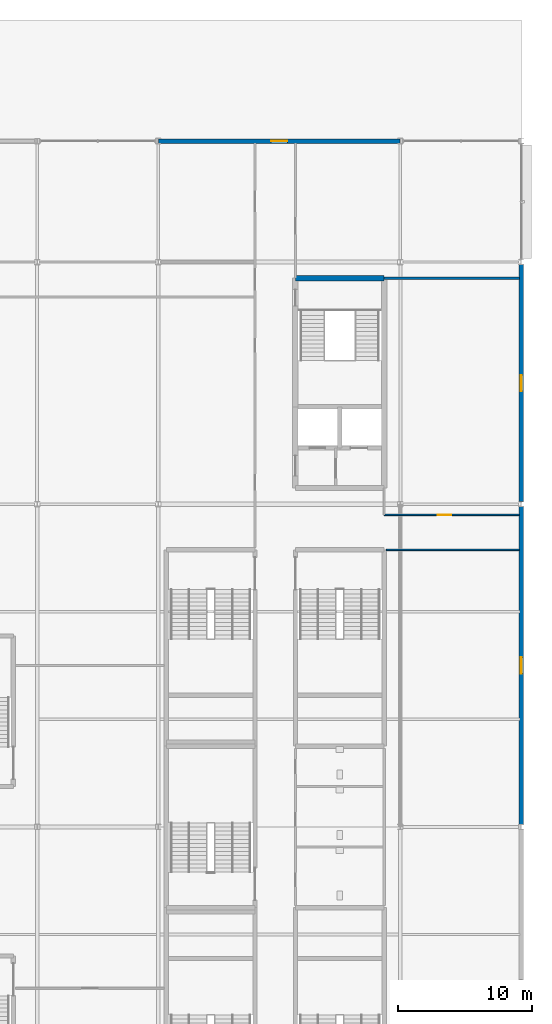
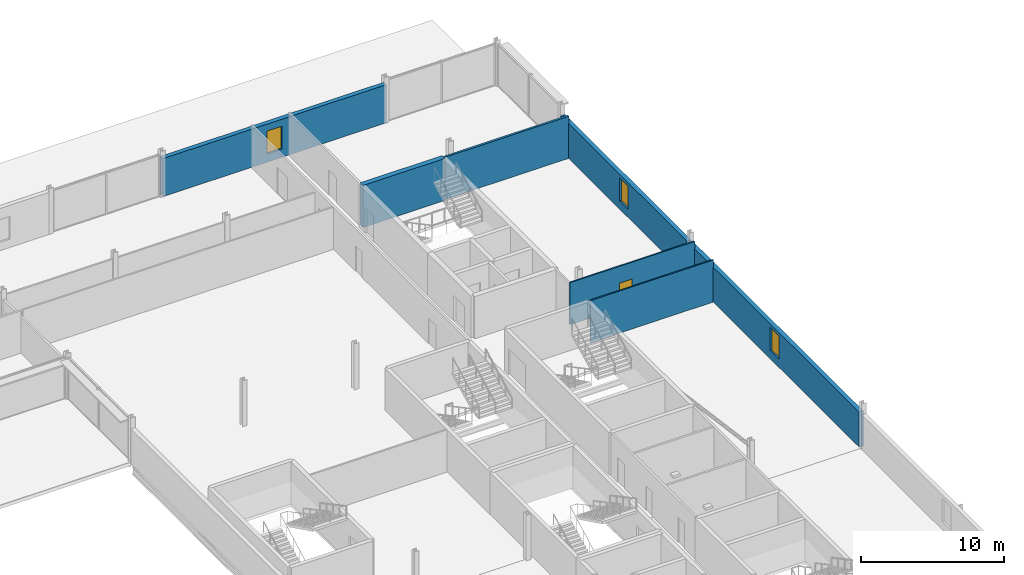
# One storey, part 71 of 105: 7 walls, 3 windows, 1 door, 4 openings.
"""IFC4 building model written with IfcOpenShell, lengths in metres."""

from ifc_helpers import new_model, si_unit, direction, frame, frame_2d, origin, place, context, subcontext, project, spatial, rectangle, extrude, material, layer, layer_set, type_object, element, fill, save


model = new_model("IFC4")

# Units and contexts
model_context = context("Model", 3, precision=1e-05, world=origin(), true_north=direction((0.0, 1.0)))
body_context = subcontext(model_context, "Body", "Model", "MODEL_VIEW")
ifc_project = project(units=[si_unit("LENGTHUNIT", "METRE"), si_unit("AREAUNIT", "SQUARE_METRE"), si_unit("VOLUMEUNIT", "CUBIC_METRE"), si_unit("PLANEANGLEUNIT", "RADIAN"), si_unit("MASSUNIT", "GRAM", prefix="KILO")], contexts=[model_context])

# Site, building, storey
site_placement = place(None, origin())
site = spatial("IfcSite", under=ifc_project, at=site_placement, CompositionType="ELEMENT")
building_placement = place(site_placement, origin())
building = spatial("IfcBuilding", under=site, at=building_placement, Name="Kisiwana Market Hall", CompositionType="ELEMENT")
storey_placement = place(building_placement, frame((0.0, 0.0, 21.60009765625)))
storey = spatial("IfcBuildingStorey", under=building, at=storey_placement, Name="L04", CompositionType="ELEMENT", Elevation=21.60009765625)

# Walls
ifc_material_1 = material(Name="Concrete C40/50", Category="concrete")
ifc_layer_1 = layer(ifc_material_1, 0.39990234375, Name="Reinforced concrete core wall")
ifc_layer_set_1 = layer_set([ifc_layer_1], Name="WL-CORE-400")
wall_type_1 = type_object("IfcWallType", Name="WL-CORE-400", PredefinedType="SHEAR", material=ifc_layer_set_1)
wall_1_placement = place(storey_placement, frame((181.199951171875, 100.800048828125, 0.0), z_axis=(0.0, 0.0, 1.0), x_axis=(1.0, 0.0, 0.0)))
element("IfcWall", 1, at=wall_1_placement, inside=storey, type_object=wall_type_1, Name="Core E1 north shear wall W-1542", PredefinedType="SHEAR", context=body_context, shape_type="SweptSolid", body=[
    extrude(rectangle(XDim=6.60009765625, YDim=0.39990234375, at=frame_2d((3.300048828125, 0.0))), origin(), (0.0, 0.0, 1.0), 3.5849609375),
])
ifc_material_2 = material(Name="Masonry blockwork", Category="masonry")
ifc_layer_2 = layer(ifc_material_2, 0.169921875, Name="Protected corridor partition")
ifc_layer_set_2 = layer_set([ifc_layer_2], Name="WL-CORR-170")
wall_type_2 = type_object("IfcWallType", Name="WL-CORR-170", PredefinedType="PARTITIONING", material=ifc_layer_set_2)
wall_2_placement = place(storey_placement, frame((187.800048828125, 100.800048828125, 0.0), z_axis=(0.0, 0.0, 1.0), x_axis=(1.0, 0.0, 0.0)))
element("IfcWall", 2, at=wall_2_placement, inside=storey, type_object=wall_type_2, Name="Interior partition W-1677", PredefinedType="PARTITIONING", context=body_context, shape_type="SweptSolid", body=[
    extrude(rectangle(XDim=10.054931640625, YDim=0.169921875, at=frame_2d((5.02734375, 0.0))), origin(), (0.0, 0.0, 1.0), 3.5849609375),
])

# Wall, opening, window
ifc_material_3 = material(Name="Concrete C40/50 precast", Category="concrete")
ifc_layer_3 = layer(ifc_material_3, 0.14990234375, Name="Precast architectural concrete spandrel")
ifc_material_4 = material(Name="Mineral wool insulation")
ifc_layer_4 = layer(ifc_material_4, 0.090087890625, Name="Rockwool thermal insulation")
ifc_material_5 = material(Name="Masonry blockwork", Category="masonry")
ifc_layer_5 = layer(ifc_material_5, 0.10009765625, Name="Inner masonry block leaf")
ifc_layer_set_3 = layer_set([ifc_layer_3, ifc_layer_4, ifc_layer_5], Name="WL-EXT-PREC-340")
wall_type_3 = type_object("IfcWallType", Name="WL-EXT-PREC-340", PredefinedType="STANDARD", material=ifc_layer_set_3)
wall_3_placement = place(storey_placement, frame((171.010009765625, 111.0, 0.0), z_axis=(0.0, 0.0, 1.0), x_axis=(1.0, 0.0, 0.0)))
wall_3 = element("IfcWall", 3, at=wall_3_placement, inside=storey, type_object=wall_type_3, Name="Exterior wall W-1623", PredefinedType="STANDARD", context=body_context, shape_type="SweptSolid", body=[
    extrude(rectangle(XDim=17.97998046875, YDim=0.340087890625, at=frame_2d((8.989990234375, 0.0))), origin(), (0.0, 0.0, 1.0), 3.2451171875),
])
opening_1_placement = place(wall_3_placement, frame((8.389892578125, 0.0, 0.699951171875)))
opening_1 = element("IfcOpeningElement", 4, at=opening_1_placement, cuts=wall_3, Name="Opening WN-15", PredefinedType="OPENING", context=body_context, shape_type="SweptSolid", body=[
    extrude(rectangle(XDim=1.199951171875, YDim=1.949951171875, at=frame_2d((0.60009765625, 0.97509765625))), frame((0.0, 0.18212890625, 0.0), z_axis=(0.0, -1.0, 0.0), x_axis=(1.0, 0.0, 0.0)), (0.0, 0.0, 1.0), 0.364013671875),
])
ifc_material_6 = material(Name="Double-glazed solar-control low-E IGU", Category="glass")
window_type = type_object("IfcWindowType", Name="WN-OFFA-1200x1950", PartitioningType="SINGLE_PANEL", PredefinedType="WINDOW", material=ifc_material_6)
window_1_placement = place(opening_1_placement, origin())
window_1 = element("IfcWindow", 5, at=window_1_placement, inside=storey, type_object=window_type, Name="Exterior window WN-146", OverallHeight=1.949951171875, OverallWidth=1.199951171875, PartitioningType="SINGLE_PANEL", PredefinedType="WINDOW", context=body_context, shape_type="SweptSolid", body=[
    extrude(rectangle(XDim=1.199951171875, YDim=1.949951171875, at=frame_2d((0.60009765625, 0.97509765625))), frame((0.0, 0.030029296875, 0.0), z_axis=(0.0, -1.0, 0.0), x_axis=(1.0, 0.0, 0.0)), (0.0, 0.0, 1.0), 0.06005859375),
])
fill(opening_1, window_1)

wall_4_placement = place(storey_placement, frame((198.0, 60.18212890625, 0.0), z_axis=(0.0, 0.0, 1.0), x_axis=(0.0, 1.0, 0.0)))
wall_4 = element("IfcWall", 6, at=wall_4_placement, inside=storey, type_object=wall_type_3, Name="Exterior wall W-1636", PredefinedType="STANDARD", context=body_context, shape_type="SweptSolid", body=[
    extrude(rectangle(XDim=23.6357421875, YDim=0.340087890625, at=frame_2d((11.81787109375, 0.0))), origin(), (0.0, 0.0, 1.0), 2.97265625),
])
opening_2_placement = place(wall_4_placement, frame((11.2177734375, 0.0, 0.699951171875)))
opening_2 = element("IfcOpeningElement", 7, at=opening_2_placement, cuts=wall_4, Name="Opening WN-15", PredefinedType="OPENING", context=body_context, shape_type="SweptSolid", body=[
    extrude(rectangle(XDim=1.199951171875, YDim=1.949951171875, at=frame_2d((0.60009765625, 0.97509765625))), frame((0.0, 0.18212890625, 0.0), z_axis=(0.0, -1.0, 0.0), x_axis=(1.0, 0.0, 0.0)), (0.0, 0.0, 1.0), 0.364013671875),
])
window_2_placement = place(opening_2_placement, origin())
window_2 = element("IfcWindow", 8, at=window_2_placement, inside=storey, type_object=window_type, Name="Exterior window WN-153", OverallHeight=1.949951171875, OverallWidth=1.199951171875, PartitioningType="SINGLE_PANEL", PredefinedType="WINDOW", context=body_context, shape_type="SweptSolid", body=[
    extrude(rectangle(XDim=1.199951171875, YDim=1.949951171875, at=frame_2d((0.60009765625, 0.97509765625))), frame((0.0, 0.030029296875, 0.0), z_axis=(0.0, -1.0, 0.0), x_axis=(1.0, 0.0, 0.0)), (0.0, 0.0, 1.0), 0.06005859375),
])
fill(opening_2, window_2)

wall_5_placement = place(storey_placement, frame((198.0, 84.18212890625, 0.0), z_axis=(0.0, 0.0, 1.0), x_axis=(0.0, 1.0, 0.0)))
wall_5 = element("IfcWall", 9, at=wall_5_placement, inside=storey, type_object=wall_type_3, Name="Exterior wall W-1637", PredefinedType="STANDARD", context=body_context, shape_type="SweptSolid", body=[
    extrude(rectangle(XDim=17.6357421875, YDim=0.340087890625, at=frame_2d((8.81787109375, 0.0))), origin(), (0.0, 0.0, 1.0), 2.97265625),
])
opening_3_placement = place(wall_5_placement, frame((8.2177734375, 0.0, 0.699951171875)))
opening_3 = element("IfcOpeningElement", 10, at=opening_3_placement, cuts=wall_5, Name="Opening WN-15", PredefinedType="OPENING", context=body_context, shape_type="SweptSolid", body=[
    extrude(rectangle(XDim=1.199951171875, YDim=1.949951171875, at=frame_2d((0.60009765625, 0.97509765625))), frame((0.0, 0.18212890625, 0.0), z_axis=(0.0, -1.0, 0.0), x_axis=(1.0, 0.0, 0.0)), (0.0, 0.0, 1.0), 0.364013671875),
])
window_3_placement = place(opening_3_placement, origin())
window_3 = element("IfcWindow", 11, at=window_3_placement, inside=storey, type_object=window_type, Name="Exterior window WN-154", OverallHeight=1.949951171875, OverallWidth=1.199951171875, PartitioningType="SINGLE_PANEL", PredefinedType="WINDOW", context=body_context, shape_type="SweptSolid", body=[
    extrude(rectangle(XDim=1.199951171875, YDim=1.949951171875, at=frame_2d((0.60009765625, 0.97509765625))), frame((0.0, 0.030029296875, 0.0), z_axis=(0.0, -1.0, 0.0), x_axis=(1.0, 0.0, 0.0)), (0.0, 0.0, 1.0), 0.06005859375),
])
fill(opening_3, window_3)

# Wall
ifc_material_7 = material(Name="Masonry blockwork", Category="masonry")
ifc_layer_6 = layer(ifc_material_7, 0.110107421875)
ifc_layer_set_4 = layer_set([ifc_layer_6], Name="WL-PART-110")
wall_type_4 = type_object("IfcWallType", Name="WL-PART-110", PredefinedType="PARTITIONING", material=ifc_layer_set_4)
wall_6_placement = place(storey_placement, frame((187.9599609375, 80.60009765625, 0.0), z_axis=(0.0, 0.0, 1.0), x_axis=(1.0, 0.0, 0.0)))
element("IfcWall", 12, at=wall_6_placement, inside=storey, type_object=wall_type_4, Name="Interior partition W-1680", PredefinedType="PARTITIONING", context=body_context, shape_type="SweptSolid", body=[
    extrude(rectangle(XDim=9.89501953125, YDim=0.110107421875, at=frame_2d((4.947509765625, 0.0))), origin(), (0.0, 0.0, 1.0), 3.5849609375),
])

# Wall, opening, door
wall_7_placement = place(storey_placement, frame((187.800048828125, 83.199951171875, 0.0), z_axis=(0.0, 0.0, 1.0), x_axis=(1.0, 0.0, 0.0)))
wall_7 = element("IfcWall", 13, at=wall_7_placement, inside=storey, type_object=wall_type_4, Name="Interior partition W-1681", PredefinedType="PARTITIONING", context=body_context, shape_type="SweptSolid", body=[
    extrude(rectangle(XDim=10.054931640625, YDim=0.110107421875, at=frame_2d((5.02734375, 0.0))), origin(), (0.0, 0.0, 1.0), 3.5849609375),
])
opening_4_placement = place(wall_7_placement, frame((4.0, 0.0, 0.0)))
opening_4 = element("IfcOpeningElement", 14, at=opening_4_placement, cuts=wall_7, Name="Opening DR-L04-051", PredefinedType="OPENING", context=body_context, shape_type="SweptSolid", body=[
    extrude(rectangle(XDim=1.0, YDim=2.14990234375, at=frame_2d((0.5, 1.074951171875))), frame((0.0, 0.06689453125, 0.0), z_axis=(0.0, -1.0, 0.0), x_axis=(1.0, 0.0, 0.0)), (0.0, 0.0, 1.0), 0.134033203125),
])
ifc_material_8 = material(Name="Aluminium alloy 6063-T6", Category="aluminium")
door_type = type_object("IfcDoorType", Name="DR-OFF-1000", OperationType="NOTDEFINED", PredefinedType="DOOR", material=ifc_material_8)
door_placement = place(opening_4_placement, origin())
door = element("IfcDoor", 15, at=door_placement, inside=storey, type_object=door_type, Name="L04 E Commercial Office North Door", OperationType="SINGLE_SWING_LEFT", OverallHeight=2.14990234375, OverallWidth=1.0, PredefinedType="DOOR", context=body_context, shape_type="SweptSolid", body=[
    extrude(rectangle(XDim=1.0, YDim=2.14990234375, at=frame_2d((0.5, 1.074951171875))), frame((0.0, 0.02490234375, 0.0), z_axis=(0.0, -1.0, 0.0), x_axis=(1.0, 0.0, 0.0)), (0.0, 0.0, 1.0), 0.050048828125),
])
fill(opening_4, door)

save(model, "model.ifc")
